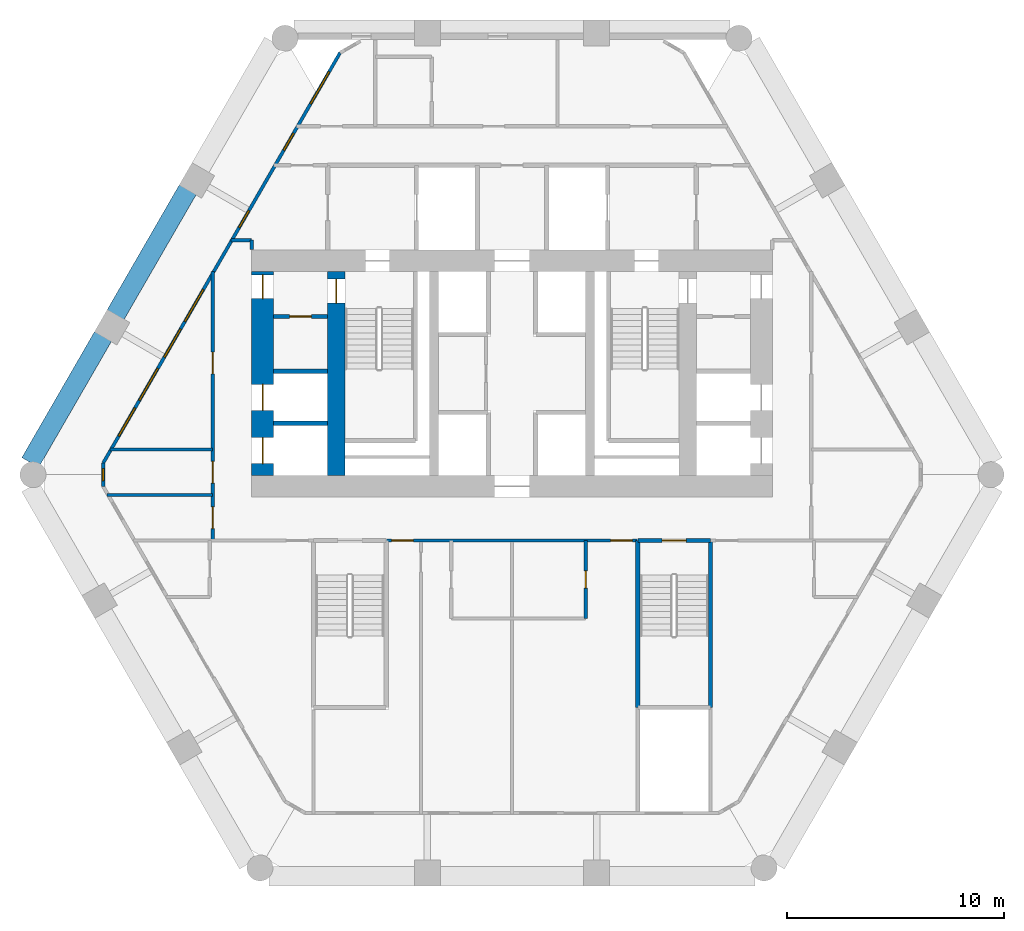
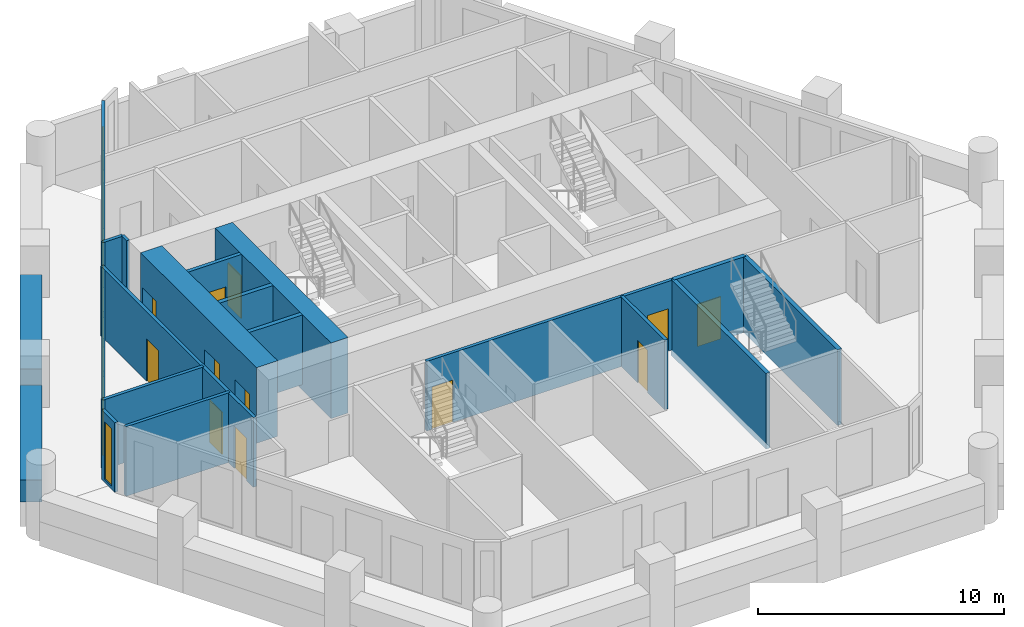
# One storey, part 3 of 7: 19 walls, 12 doors, 8 windows, 20 openings.
"""IFC4 building model written with IfcOpenShell, lengths in metres."""

from ifc_helpers import new_model, si_unit, direction, frame, frame_2d, origin, place, context, subcontext, project, spatial, rectangle, extrude, material, layer, layer_set, type_object, element, fill, save


model = new_model("IFC4")

# Units and contexts
model_context = context("Model", 3, precision=1e-05, world=origin(), true_north=direction((0.0, 1.0)))
body_context = subcontext(model_context, "Body", "Model", "MODEL_VIEW")
ifc_project = project(units=[si_unit("LENGTHUNIT", "METRE"), si_unit("AREAUNIT", "SQUARE_METRE"), si_unit("VOLUMEUNIT", "CUBIC_METRE"), si_unit("PLANEANGLEUNIT", "RADIAN"), si_unit("MASSUNIT", "GRAM", prefix="KILO")], contexts=[model_context])

# Site, building, storey
site_placement = place(None, origin())
site = spatial("IfcSite", under=ifc_project, at=site_placement, CompositionType="ELEMENT")
building_placement = place(site_placement, origin())
building = spatial("IfcBuilding", under=site, at=building_placement, Name="Ostrander Bayou Hotel Tower", CompositionType="ELEMENT")
storey_placement = place(building_placement, frame((0.0, 0.0, 123.5)))
storey = spatial("IfcBuildingStorey", under=building, at=storey_placement, Name="L30", CompositionType="ELEMENT", Elevation=123.5)

# Wall, openings, doors
ifc_material_1 = material(Name="Concrete f'c 70 MPa", Category="concrete")
ifc_layer_1 = layer(ifc_material_1, 1.0)
ifc_layer_set_1 = layer_set([ifc_layer_1], Name="CW4 core wall 1000 mm f'c 70 MPa")
wall_type_1 = type_object("IfcWallType", Name="CW4 core wall 1000 mm f'c 70 MPa", PredefinedType="SHEAR", material=ifc_layer_set_1)
wall_1_placement = place(storey_placement, frame((-11.5, -0.699951171875, -0.300048828125), z_axis=(0.0, 0.0, 1.0), x_axis=(0.0, 1.0, 0.0)))
wall_1 = element("IfcWall", 1, at=wall_1_placement, inside=storey, type_object=wall_type_1, Name="CW4 L30 RW", PredefinedType="SHEAR", context=body_context, shape_type="SweptSolid", body=[
    extrude(rectangle(XDim=9.39990234375, YDim=1.0, at=frame_2d((4.699951171875, 0.0))), origin(), (0.0, 0.0, 1.0), 3.75),
])
opening_1_placement = place(wall_1_placement, frame((8.14990234375, 0.0, 0.0)))
opening_1 = element("IfcOpeningElement", 2, at=opening_1_placement, cuts=wall_1, Name="Opening T28-016", PredefinedType="OPENING", context=body_context, shape_type="SweptSolid", body=[
    extrude(rectangle(XDim=1.10009765625, YDim=2.10009765625, at=frame_2d((0.550048828125, 1.050048828125))), frame((0.0, 0.5, 0.0), z_axis=(0.0, -1.0, 0.0), x_axis=(1.0, 0.0, 0.0)), (0.0, 0.0, 1.0), 1.0),
])
opening_2_placement = place(wall_1_placement, frame((0.550048828125, 0.0, 0.0)))
opening_2 = element("IfcOpeningElement", 3, at=opening_2_placement, cuts=wall_1, Name="Opening T28-017", PredefinedType="OPENING", context=body_context, shape_type="SweptSolid", body=[
    extrude(rectangle(XDim=1.199951171875, YDim=2.10009765625, at=frame_2d((0.60009765625, 1.050048828125))), frame((0.0, 0.5, 0.0), z_axis=(0.0, -1.0, 0.0), x_axis=(1.0, 0.0, 0.0)), (0.0, 0.0, 1.0), 1.0),
])
opening_3_placement = place(wall_1_placement, frame((3.0, 0.0, 0.0)))
opening_3 = element("IfcOpeningElement", 4, at=opening_3_placement, cuts=wall_1, Name="Opening T28-018", PredefinedType="OPENING", context=body_context, shape_type="SweptSolid", body=[
    extrude(rectangle(XDim=1.199951171875, YDim=2.10009765625, at=frame_2d((0.60009765625, 1.050048828125))), frame((0.0, 0.5, 0.0), z_axis=(0.0, -1.0, 0.0), x_axis=(1.0, 0.0, 0.0)), (0.0, 0.0, 1.0), 1.0),
])
ifc_material_2 = material(Name="Timber door leaf", Category="wood")
door_type_1 = type_object("IfcDoorType", Name="D5 stair door 1100 x 2100 mm, 90 minute", OperationType="SINGLE_SWING_LEFT", PredefinedType="DOOR", material=ifc_material_2)
door_1_placement = place(opening_1_placement, origin())
door_1 = element("IfcDoor", 5, at=door_1_placement, inside=storey, type_object=door_type_1, Name="dr:L30:016", OperationType="SINGLE_SWING_LEFT", OverallHeight=2.10009765625, OverallWidth=1.10009765625, PredefinedType="DOOR", context=body_context, shape_type="SweptSolid", body=[
    extrude(rectangle(XDim=1.10009765625, YDim=2.10009765625, at=frame_2d((0.550048828125, 1.050048828125))), frame((0.0, 0.02490234375, 0.0), z_axis=(0.0, -1.0, 0.0), x_axis=(1.0, 0.0, 0.0)), (0.0, 0.0, 1.0), 0.050048828125),
])
fill(opening_1, door_1)
ifc_material_3 = material(Name="Stainless steel sliding door", Category="steel")
door_type_2 = type_object("IfcDoorType", Name="LD1 lift landing door 1200 x 2100 mm", OperationType="SINGLE_SWING_LEFT", PredefinedType="DOOR", material=ifc_material_3)
door_2_placement = place(opening_2_placement, origin())
door_2 = element("IfcDoor", 6, at=door_2_placement, inside=storey, type_object=door_type_2, Name="dr:L30:017", OperationType="SLIDING_TO_LEFT", OverallHeight=2.10009765625, OverallWidth=1.199951171875, PredefinedType="DOOR", context=body_context, shape_type="SweptSolid", body=[
    extrude(rectangle(XDim=1.199951171875, YDim=2.10009765625, at=frame_2d((0.60009765625, 1.050048828125))), frame((0.0, 0.02490234375, 0.0), z_axis=(0.0, -1.0, 0.0), x_axis=(1.0, 0.0, 0.0)), (0.0, 0.0, 1.0), 0.050048828125),
])
fill(opening_2, door_2)
door_3_placement = place(opening_3_placement, origin())
door_3 = element("IfcDoor", 7, at=door_3_placement, inside=storey, type_object=door_type_2, Name="dr:L30:018", OperationType="SLIDING_TO_LEFT", OverallHeight=2.10009765625, OverallWidth=1.199951171875, PredefinedType="DOOR", context=body_context, shape_type="SweptSolid", body=[
    extrude(rectangle(XDim=1.199951171875, YDim=2.10009765625, at=frame_2d((0.60009765625, 1.050048828125))), frame((0.0, 0.02490234375, 0.0), z_axis=(0.0, -1.0, 0.0), x_axis=(1.0, 0.0, 0.0)), (0.0, 0.0, 1.0), 0.050048828125),
])
fill(opening_3, door_3)

# Wall, opening, door
ifc_material_4 = material(Name="Concrete f'c 70 MPa", Category="concrete")
ifc_layer_2 = layer(ifc_material_4, 0.800048828125)
ifc_layer_set_2 = layer_set([ifc_layer_2], Name="CW5 core spine wall 800 mm f'c 70 MPa")
wall_type_2 = type_object("IfcWallType", Name="CW5 core spine wall 800 mm f'c 70 MPa", PredefinedType="SHEAR", material=ifc_layer_set_2)
wall_2_placement = place(storey_placement, frame((-8.10009765625, -0.699951171875, -0.300048828125), z_axis=(0.0, 0.0, 1.0), x_axis=(0.0, 1.0, 0.0)))
wall_2 = element("IfcWall", 8, at=wall_2_placement, inside=storey, type_object=wall_type_2, Name="CW5 L30 W", PredefinedType="SHEAR", context=body_context, shape_type="SweptSolid", body=[
    extrude(rectangle(XDim=9.39990234375, YDim=0.800048828125, at=frame_2d((4.699951171875, 0.0))), origin(), (0.0, 0.0, 1.0), 3.75),
])
opening_4_placement = place(wall_2_placement, frame((7.949951171875, 0.0, 0.0)))
opening_4 = element("IfcOpeningElement", 9, at=opening_4_placement, cuts=wall_2, Name="Opening T28-004", PredefinedType="OPENING", context=body_context, shape_type="SweptSolid", body=[
    extrude(rectangle(XDim=1.10009765625, YDim=2.10009765625, at=frame_2d((0.550048828125, 1.050048828125))), frame((0.0, 0.39990234375, 0.0), z_axis=(0.0, -1.0, 0.0), x_axis=(1.0, 0.0, 0.0)), (0.0, 0.0, 1.0), 0.800048828125),
])
door_4_placement = place(opening_4_placement, origin())
door_4 = element("IfcDoor", 10, at=door_4_placement, inside=storey, type_object=door_type_1, Name="dr:L30:004", OperationType="SINGLE_SWING_RIGHT", OverallHeight=2.10009765625, OverallWidth=1.10009765625, PredefinedType="DOOR", context=body_context, shape_type="SweptSolid", body=[
    extrude(rectangle(XDim=1.10009765625, YDim=2.10009765625, at=frame_2d((0.550048828125, 1.050048828125))), frame((0.0, 0.02490234375, 0.0), z_axis=(0.0, -1.0, 0.0), x_axis=(1.0, 0.0, 0.0)), (0.0, 0.0, 1.0), 0.050048828125),
])
fill(opening_4, door_4)

# Wall, openings, windows
ifc_material_5 = material(Name="Aluminium framed insulated wall", Category="aluminium")
ifc_layer_3 = layer(ifc_material_5, 0.14990234375)
ifc_layer_set_3 = layer_set([ifc_layer_3], Name="GW1 glass-line wall 150 mm")
wall_type_3 = type_object("IfcWallType", Name="GW1 glass-line wall 150 mm", PredefinedType="SOLIDWALL", material=ifc_layer_set_3)
wall_3_placement = place(storey_placement, frame((-7.925048828125, 18.79248046875, 0.0), z_axis=(0.0, 0.0, 1.0), x_axis=(-0.499994842654, -0.866028381359, 0.0)))
wall_3 = element("IfcWall", 11, at=wall_3_placement, inside=storey, type_object=wall_type_3, Name="GW1 L30 NW 1", PredefinedType="SOLIDWALL", context=body_context, shape_type="SweptSolid", body=[
    extrude(rectangle(XDim=21.853271484375, YDim=0.14990234375, at=frame_2d((10.9267578125, 0.0))), origin(), (0.0, 0.0, 1.0), 3.449951171875),
])
opening_5_placement = place(wall_3_placement, frame((4.29345703125, 0.0, 0.14990234375)))
opening_5 = element("IfcOpeningElement", 12, at=opening_5_placement, cuts=wall_3, Name="Opening W16", PredefinedType="OPENING", context=body_context, shape_type="SweptSolid", body=[
    extrude(rectangle(XDim=0.89990234375, YDim=2.85009765625, at=frame_2d((0.449951171875, 1.425048828125))), frame((0.0, 0.074951171875, 0.0), z_axis=(0.0, -1.0, 0.0), x_axis=(1.0, 0.0, 0.0)), (0.0, 0.0, 1.0), 0.14990234375),
])
opening_6_placement = place(wall_3_placement, frame((8.412353515625, 0.0, 0.14990234375)))
opening_6 = element("IfcOpeningElement", 13, at=opening_6_placement, cuts=wall_3, Name="Opening W16", PredefinedType="OPENING", context=body_context, shape_type="SweptSolid", body=[
    extrude(rectangle(XDim=0.89990234375, YDim=2.85009765625, at=frame_2d((0.449951171875, 1.425048828125))), frame((0.0, 0.074951171875, 0.0), z_axis=(0.0, -1.0, 0.0), x_axis=(1.0, 0.0, 0.0)), (0.0, 0.0, 1.0), 0.14990234375),
])
opening_7_placement = place(wall_3_placement, frame((12.6123046875, 0.0, 0.14990234375)))
opening_7 = element("IfcOpeningElement", 14, at=opening_7_placement, cuts=wall_3, Name="Opening W2", PredefinedType="OPENING", context=body_context, shape_type="SweptSolid", body=[
    extrude(rectangle(XDim=1.699951171875, YDim=2.85009765625, at=frame_2d((0.85009765625, 1.425048828125))), frame((0.0, 0.074951171875, 0.0), z_axis=(0.0, -1.0, 0.0), x_axis=(1.0, 0.0, 0.0)), (0.0, 0.0, 1.0), 0.14990234375),
])
opening_8_placement = place(wall_3_placement, frame((14.71240234375, 0.0, 0.14990234375)))
opening_8 = element("IfcOpeningElement", 15, at=opening_8_placement, cuts=wall_3, Name="Opening W12", PredefinedType="OPENING", context=body_context, shape_type="SweptSolid", body=[
    extrude(rectangle(XDim=1.5, YDim=2.85009765625, at=frame_2d((0.75, 1.425048828125))), frame((0.0, 0.074951171875, 0.0), z_axis=(0.0, -1.0, 0.0), x_axis=(1.0, 0.0, 0.0)), (0.0, 0.0, 1.0), 0.14990234375),
])
opening_9_placement = place(wall_3_placement, frame((16.812255859375, 0.0, 0.14990234375)))
opening_9 = element("IfcOpeningElement", 16, at=opening_9_placement, cuts=wall_3, Name="Opening W2", PredefinedType="OPENING", context=body_context, shape_type="SweptSolid", body=[
    extrude(rectangle(XDim=1.699951171875, YDim=2.85009765625, at=frame_2d((0.85009765625, 1.425048828125))), frame((0.0, 0.074951171875, 0.0), z_axis=(0.0, -1.0, 0.0), x_axis=(1.0, 0.0, 0.0)), (0.0, 0.0, 1.0), 0.14990234375),
])
opening_10_placement = place(wall_3_placement, frame((18.912353515625, 0.0, 0.14990234375)))
opening_10 = element("IfcOpeningElement", 17, at=opening_10_placement, cuts=wall_3, Name="Opening W12", PredefinedType="OPENING", context=body_context, shape_type="SweptSolid", body=[
    extrude(rectangle(XDim=1.5, YDim=2.85009765625, at=frame_2d((0.75, 1.425048828125))), frame((0.0, 0.074951171875, 0.0), z_axis=(0.0, -1.0, 0.0), x_axis=(1.0, 0.0, 0.0)), (0.0, 0.0, 1.0), 0.14990234375),
])
opening_11_placement = place(wall_3_placement, frame((1.021728515625, 0.0, 0.14990234375)))
opening_11 = element("IfcOpeningElement", 18, at=opening_11_placement, cuts=wall_3, Name="Opening W2", PredefinedType="OPENING", context=body_context, shape_type="SweptSolid", body=[
    extrude(rectangle(XDim=1.699951171875, YDim=2.72998046875, at=frame_2d((0.85009765625, 1.364990234375))), frame((0.0, 0.074951171875, 0.0), z_axis=(0.0, -1.0, 0.0), x_axis=(1.0, 0.0, 0.0)), (0.0, 0.0, 1.0), 0.14990234375),
])
ifc_material_6 = material(Name="Aluminium and clear glass", Category="aluminium")
window_type_1 = type_object("IfcWindowType", Name="W12 fixed window 1500 mm, bath bay, zone 2", PartitioningType="SINGLE_PANEL", PredefinedType="WINDOW", material=ifc_material_6)
window_1_placement = place(opening_8_placement, origin())
window_1 = element("IfcWindow", 19, at=window_1_placement, inside=storey, type_object=window_type_1, Name="W12 L30 NW 3", OverallHeight=2.85009765625, OverallWidth=1.5, PartitioningType="SINGLE_PANEL", PredefinedType="WINDOW", context=body_context, shape_type="SweptSolid", body=[
    extrude(rectangle(XDim=1.5, YDim=2.85009765625, at=frame_2d((0.75, 1.425048828125))), frame((0.0, 0.030029296875, 0.0), z_axis=(0.0, -1.0, 0.0), x_axis=(1.0, 0.0, 0.0)), (0.0, 0.0, 1.0), 0.06005859375),
])
fill(opening_8, window_1)
window_2_placement = place(opening_10_placement, origin())
window_2 = element("IfcWindow", 20, at=window_2_placement, inside=storey, type_object=window_type_1, Name="W12 L30 NW 4", OverallHeight=2.85009765625, OverallWidth=1.5, PartitioningType="SINGLE_PANEL", PredefinedType="WINDOW", context=body_context, shape_type="SweptSolid", body=[
    extrude(rectangle(XDim=1.5, YDim=2.85009765625, at=frame_2d((0.75, 1.425048828125))), frame((0.0, 0.030029296875, 0.0), z_axis=(0.0, -1.0, 0.0), x_axis=(1.0, 0.0, 0.0)), (0.0, 0.0, 1.0), 0.06005859375),
])
fill(opening_10, window_2)
ifc_material_7 = material(Name="Aluminium and clear glass", Category="aluminium")
window_type_2 = type_object("IfcWindowType", Name="W16 window 900 mm, zone 2", PartitioningType="SINGLE_PANEL", PredefinedType="WINDOW", material=ifc_material_7)
window_3_placement = place(opening_5_placement, origin())
window_3 = element("IfcWindow", 21, at=window_3_placement, inside=storey, type_object=window_type_2, Name="W16 L30 NW 1", OverallHeight=2.85009765625, OverallWidth=0.89990234375, PartitioningType="SINGLE_PANEL", PredefinedType="WINDOW", context=body_context, shape_type="SweptSolid", body=[
    extrude(rectangle(XDim=0.89990234375, YDim=2.85009765625, at=frame_2d((0.449951171875, 1.425048828125))), frame((0.0, 0.030029296875, 0.0), z_axis=(0.0, -1.0, 0.0), x_axis=(1.0, 0.0, 0.0)), (0.0, 0.0, 1.0), 0.06005859375),
])
fill(opening_5, window_3)
window_4_placement = place(opening_6_placement, origin())
window_4 = element("IfcWindow", 22, at=window_4_placement, inside=storey, type_object=window_type_2, Name="W16 L30 NW 2", OverallHeight=2.85009765625, OverallWidth=0.89990234375, PartitioningType="SINGLE_PANEL", PredefinedType="WINDOW", context=body_context, shape_type="SweptSolid", body=[
    extrude(rectangle(XDim=0.89990234375, YDim=2.85009765625, at=frame_2d((0.449951171875, 1.425048828125))), frame((0.0, 0.030029296875, 0.0), z_axis=(0.0, -1.0, 0.0), x_axis=(1.0, 0.0, 0.0)), (0.0, 0.0, 1.0), 0.06005859375),
])
fill(opening_6, window_4)
ifc_material_8 = material(Name="Aluminium and clear glass", Category="aluminium")
window_type_3 = type_object("IfcWindowType", Name="W2 fixed window 1700 mm, zone 2", PartitioningType="SINGLE_PANEL", PredefinedType="WINDOW", material=ifc_material_8)
window_5_placement = place(opening_7_placement, origin())
window_5 = element("IfcWindow", 23, at=window_5_placement, inside=storey, type_object=window_type_3, Name="W2 L30 NW 3", OverallHeight=2.85009765625, OverallWidth=1.699951171875, PartitioningType="SINGLE_PANEL", PredefinedType="WINDOW", context=body_context, shape_type="SweptSolid", body=[
    extrude(rectangle(XDim=1.699951171875, YDim=2.85009765625, at=frame_2d((0.85009765625, 1.425048828125))), frame((0.0, 0.030029296875, 0.0), z_axis=(0.0, -1.0, 0.0), x_axis=(1.0, 0.0, 0.0)), (0.0, 0.0, 1.0), 0.06005859375),
])
fill(opening_7, window_5)
window_6_placement = place(opening_9_placement, origin())
window_6 = element("IfcWindow", 24, at=window_6_placement, inside=storey, type_object=window_type_3, Name="W2 L30 NW 4", OverallHeight=2.85009765625, OverallWidth=1.699951171875, PartitioningType="SINGLE_PANEL", PredefinedType="WINDOW", context=body_context, shape_type="SweptSolid", body=[
    extrude(rectangle(XDim=1.699951171875, YDim=2.85009765625, at=frame_2d((0.85009765625, 1.425048828125))), frame((0.0, 0.030029296875, 0.0), z_axis=(0.0, -1.0, 0.0), x_axis=(1.0, 0.0, 0.0)), (0.0, 0.0, 1.0), 0.06005859375),
])
fill(opening_9, window_6)
window_7_placement = place(opening_11_placement, origin())
window_7 = element("IfcWindow", 25, at=window_7_placement, inside=storey, type_object=window_type_3, Name="W2 L30 NW E11", OverallHeight=2.72998046875, OverallWidth=1.699951171875, PartitioningType="SINGLE_PANEL", PredefinedType="WINDOW", context=body_context, shape_type="SweptSolid", body=[
    extrude(rectangle(XDim=1.699951171875, YDim=2.72998046875, at=frame_2d((0.85009765625, 1.364990234375))), frame((0.0, 0.030029296875, 0.0), z_axis=(0.0, -1.0, 0.0), x_axis=(1.0, 0.0, 0.0)), (0.0, 0.0, 1.0), 0.06005859375),
])
fill(opening_11, window_7)

# Wall, opening, window
wall_4_placement = place(storey_placement, frame((-18.8515625, -0.133056640625, 0.0), z_axis=(0.0, 0.0, 1.0), x_axis=(0.0, -1.0, 0.0)))
wall_4 = element("IfcWall", 26, at=wall_4_placement, inside=storey, type_object=wall_type_3, Name="GW1 L30 corner 2", PredefinedType="SOLIDWALL", context=body_context, shape_type="SweptSolid", body=[
    extrude(rectangle(XDim=1.06494140625, YDim=0.14990234375, at=frame_2d((0.532470703125, 0.0))), origin(), (0.0, 0.0, 1.0), 3.449951171875),
])
opening_12_placement = place(wall_4_placement, frame((0.257568359375, 0.0, 0.14990234375)))
opening_12 = element("IfcOpeningElement", 27, at=opening_12_placement, cuts=wall_4, Name="Opening W19", PredefinedType="OPENING", context=body_context, shape_type="SweptSolid", body=[
    extrude(rectangle(XDim=0.550048828125, YDim=2.85009765625, at=frame_2d((0.27490234375, 1.425048828125))), frame((0.0, 0.074951171875, 0.0), z_axis=(0.0, -1.0, 0.0), x_axis=(1.0, 0.0, 0.0)), (0.0, 0.0, 1.0), 0.14990234375),
])
ifc_material_9 = material(Name="Aluminium and clear glass", Category="aluminium")
window_type_4 = type_object("IfcWindowType", Name="W19 corner window 550 mm", PartitioningType="SINGLE_PANEL", PredefinedType="WINDOW", material=ifc_material_9)
window_8_placement = place(opening_12_placement, origin())
window_8 = element("IfcWindow", 28, at=window_8_placement, inside=storey, type_object=window_type_4, Name="W19 L30 corner 2", OverallHeight=2.85009765625, OverallWidth=0.550048828125, PartitioningType="SINGLE_PANEL", PredefinedType="WINDOW", context=body_context, shape_type="SweptSolid", body=[
    extrude(rectangle(XDim=0.550048828125, YDim=2.85009765625, at=frame_2d((0.27490234375, 1.425048828125))), frame((0.0, 0.030029296875, 0.0), z_axis=(0.0, -1.0, 0.0), x_axis=(1.0, 0.0, 0.0)), (0.0, 0.0, 1.0), 0.06005859375),
])
fill(opening_12, window_8)

# Walls
ifc_material_10 = material(Name="Concrete f'c 40 MPa", Category="concrete")
ifc_layer_4 = layer(ifc_material_10, 0.89990234375)
ifc_layer_set_4 = layer_set([ifc_layer_4], Name="PA1 stone-faced parapet 900 mm")
wall_type_4 = type_object("IfcWallType", Name="PA1 stone-faced parapet 900 mm", PredefinedType="PARAPET", material=ifc_layer_set_4)
wall_5_placement = place(storey_placement, frame((-14.94580078125, 12.48193359375, 0.0), z_axis=(0.0, 0.0, 1.0), x_axis=(-0.50001062018, -0.866019272134, 0.0)))
element("IfcWall", 29, at=wall_5_placement, inside=storey, type_object=wall_type_4, Name="PA1 L30 NW-2", PredefinedType="PARAPET", context=body_context, shape_type="SweptSolid", body=[
    extrude(rectangle(XDim=6.673583984375, YDim=0.89990234375, at=frame_2d((3.3369140625, 0.0))), origin(), (0.0, 0.0, 1.0), 1.10009765625),
])
wall_6_placement = place(storey_placement, frame((-18.8525390625, 5.71533203125, 0.0), z_axis=(0.0, 0.0, 1.0), x_axis=(-0.500012951941, -0.866017925849, 0.0)))
element("IfcWall", 30, at=wall_6_placement, inside=storey, type_object=wall_type_4, Name="PA1 L30 NW-3", PredefinedType="PARAPET", context=body_context, shape_type="SweptSolid", body=[
    extrude(rectangle(XDim=6.717041015625, YDim=0.89990234375, at=frame_2d((3.3583984375, 0.0))), origin(), (0.0, 0.0, 1.0), 1.10009765625),
])

# Wall, opening, door
ifc_material_11 = material(Name="Gypsum board partition", Category="finish")
ifc_layer_5 = layer(ifc_material_11, 0.175048828125)
ifc_layer_set_5 = layer_set([ifc_layer_5], Name="PT4 corridor wall 175 mm, 1 hour")
wall_type_5 = type_object("IfcWallType", Name="PT4 corridor wall 175 mm, 1 hour", PredefinedType="PARTITIONING", material=ifc_layer_set_5)
wall_7_placement = place(storey_placement, frame((-11.0, 6.6298828125, 0.0), z_axis=(0.0, 0.0, 1.0), x_axis=(1.0, 0.0, 0.0)))
wall_7 = element("IfcWall", 31, at=wall_7_placement, inside=storey, type_object=wall_type_5, Name="cs:L30:035", PredefinedType="PARTITIONING", context=body_context, shape_type="SweptSolid", body=[
    extrude(rectangle(XDim=2.5, YDim=0.175048828125, at=frame_2d((1.25, 0.0))), origin(), (0.0, 0.0, 1.0), 3.449951171875),
])
opening_13_placement = place(wall_7_placement, frame((0.75, 0.0, 0.0)))
opening_13 = element("IfcOpeningElement", 32, at=opening_13_placement, cuts=wall_7, Name="Opening T28-015", PredefinedType="OPENING", context=body_context, shape_type="SweptSolid", body=[
    extrude(rectangle(XDim=1.0, YDim=2.10009765625, at=frame_2d((0.5, 1.050048828125))), frame((0.0, 0.08740234375, 0.0), z_axis=(0.0, -1.0, 0.0), x_axis=(1.0, 0.0, 0.0)), (0.0, 0.0, 1.0), 0.175048828125),
])
ifc_material_12 = material(Name="Timber door leaf", Category="wood")
door_type_3 = type_object("IfcDoorType", Name="D4 corridor door 1000 x 2100 mm, 1 hour", OperationType="SINGLE_SWING_LEFT", PredefinedType="DOOR", material=ifc_material_12)
door_5_placement = place(opening_13_placement, origin())
door_5 = element("IfcDoor", 33, at=door_5_placement, inside=storey, type_object=door_type_3, Name="dr:L30:015", OperationType="SINGLE_SWING_LEFT", OverallHeight=2.10009765625, OverallWidth=1.0, PredefinedType="DOOR", context=body_context, shape_type="SweptSolid", body=[
    extrude(rectangle(XDim=1.0, YDim=2.10009765625, at=frame_2d((0.5, 1.050048828125))), frame((0.0, 0.02490234375, 0.0), z_axis=(0.0, -1.0, 0.0), x_axis=(1.0, 0.0, 0.0)), (0.0, 0.0, 1.0), 0.050048828125),
])
fill(opening_13, door_5)

# Walls
ifc_material_13 = material(Name="Masonry block", Category="masonry")
ifc_layer_6 = layer(ifc_material_13, 0.199951171875)
ifc_layer_set_6 = layer_set([ifc_layer_6], Name="PT6 lift shaft wall 200 mm masonry, 2 hour")
wall_type_6 = type_object("IfcWallType", Name="PT6 lift shaft wall 200 mm masonry, 2 hour", PredefinedType="PARTITIONING", material=ifc_layer_set_6)
for number, where, z_axis, x_axis, name in (
    (34, (-11.0, 1.699951171875, 0.0), (0.0, 0.0, 1.0), (1.0, 0.0, 0.0), "cs:L30:033"),
    (35, (-11.0, 4.10009765625, 0.0), (0.0, 0.0, 1.0), (1.0, 0.0, 0.0), "cs:L30:034"),
):
    element("IfcWall", number, at=place(storey_placement, frame(where, z_axis=z_axis, x_axis=x_axis)), inside=storey, type_object=wall_type_6, Name=name, PredefinedType="PARTITIONING", context=body_context, shape_type="SweptSolid", body=[
        extrude(rectangle(XDim=2.5, YDim=0.199951171875, at=frame_2d((1.25, 0.0))), origin(), (0.0, 0.0, 1.0), 3.449951171875),
    ])

# Wall, openings, doors
ifc_material_14 = material(Name="Gypsum board partition", Category="finish")
ifc_layer_7 = layer(ifc_material_14, 0.14990234375)
ifc_layer_set_7 = layer_set([ifc_layer_7], Name="PT8 service band wall 150 mm, 1 hour")
wall_type_7 = type_object("IfcWallType", Name="PT8 service band wall 150 mm, 1 hour", PredefinedType="PARTITIONING", material=ifc_layer_set_7)
wall_8_placement = place(storey_placement, frame((-5.7900390625, -3.699951171875, 0.0), z_axis=(0.0, 0.0, 1.0), x_axis=(1.0, 0.0, 0.0)))
wall_8 = element("IfcWall", 36, at=wall_8_placement, inside=storey, type_object=wall_type_7, Name="gw:L30:005", PredefinedType="PARTITIONING", context=body_context, shape_type="SweptSolid", body=[
    extrude(rectangle(XDim=11.580078125, YDim=0.14990234375, at=frame_2d((5.7900390625, 0.0))), origin(), (0.0, 0.0, 1.0), 3.449951171875),
])
opening_14_placement = place(wall_8_placement, frame((0.239990234375, 0.0, 0.0)))
opening_14 = element("IfcOpeningElement", 37, at=opening_14_placement, cuts=wall_8, Name="Opening T28-400", PredefinedType="OPENING", context=body_context, shape_type="SweptSolid", body=[
    extrude(rectangle(XDim=1.0, YDim=2.10009765625, at=frame_2d((0.5, 1.050048828125))), frame((0.0, 0.074951171875, 0.0), z_axis=(0.0, -1.0, 0.0), x_axis=(1.0, 0.0, 0.0)), (0.0, 0.0, 1.0), 0.14990234375),
])
opening_15_placement = place(wall_8_placement, frame((10.340087890625, 0.0, 0.0)))
opening_15 = element("IfcOpeningElement", 38, at=opening_15_placement, cuts=wall_8, Name="Opening T28-405", PredefinedType="OPENING", context=body_context, shape_type="SweptSolid", body=[
    extrude(rectangle(XDim=1.0, YDim=2.10009765625, at=frame_2d((0.5, 1.050048828125))), frame((0.0, 0.074951171875, 0.0), z_axis=(0.0, -1.0, 0.0), x_axis=(1.0, 0.0, 0.0)), (0.0, 0.0, 1.0), 0.14990234375),
])
ifc_material_15 = material(Name="Timber door leaf", Category="wood")
door_type_4 = type_object("IfcDoorType", Name="D1 guest room door 1000 x 2100 mm, 30 minute", OperationType="SINGLE_SWING_LEFT", PredefinedType="DOOR", material=ifc_material_15)
door_6_placement = place(opening_14_placement, origin())
door_6 = element("IfcDoor", 39, at=door_6_placement, inside=storey, type_object=door_type_4, Name="dr:L30:400", OperationType="SINGLE_SWING_LEFT", OverallHeight=2.10009765625, OverallWidth=1.0, PredefinedType="DOOR", context=body_context, shape_type="SweptSolid", body=[
    extrude(rectangle(XDim=1.0, YDim=2.10009765625, at=frame_2d((0.5, 1.050048828125))), frame((0.0, 0.02490234375, 0.0), z_axis=(0.0, -1.0, 0.0), x_axis=(1.0, 0.0, 0.0)), (0.0, 0.0, 1.0), 0.050048828125),
])
fill(opening_14, door_6)
door_7_placement = place(opening_15_placement, origin())
door_7 = element("IfcDoor", 40, at=door_7_placement, inside=storey, type_object=door_type_4, Name="dr:L30:405", OperationType="SINGLE_SWING_RIGHT", OverallHeight=2.10009765625, OverallWidth=1.0, PredefinedType="DOOR", context=body_context, shape_type="SweptSolid", body=[
    extrude(rectangle(XDim=1.0, YDim=2.10009765625, at=frame_2d((0.5, 1.050048828125))), frame((0.0, 0.02490234375, 0.0), z_axis=(0.0, -1.0, 0.0), x_axis=(1.0, 0.0, 0.0)), (0.0, 0.0, 1.0), 0.050048828125),
])
fill(opening_15, door_7)

# Walls
wall_9_placement = place(storey_placement, frame((-18.672119140625, -1.60009765625, 0.0), z_axis=(0.0, 0.0, 1.0), x_axis=(1.0, 0.0, 0.0)))
element("IfcWall", 41, at=wall_9_placement, inside=storey, type_object=wall_type_7, Name="gw:L30:007", PredefinedType="PARTITIONING", context=body_context, shape_type="SweptSolid", body=[
    extrude(rectangle(XDim=4.8720703125, YDim=0.14990234375, at=frame_2d((2.43603515625, 0.0))), origin(), (0.0, 0.0, 1.0), 3.449951171875),
])
wall_10_placement = place(storey_placement, frame((-18.5380859375, 0.5, 0.0), z_axis=(0.0, 0.0, 1.0), x_axis=(1.0, 0.0, 0.0)))
element("IfcWall", 42, at=wall_10_placement, inside=storey, type_object=wall_type_7, Name="gw:L30:008", PredefinedType="PARTITIONING", context=body_context, shape_type="SweptSolid", body=[
    extrude(rectangle(XDim=4.738037109375, YDim=0.14990234375, at=frame_2d((2.369140625, 0.0))), origin(), (0.0, 0.0, 1.0), 3.449951171875),
])
wall_11_placement = place(storey_placement, frame((-12.967041015625, 10.14990234375, 0.0), z_axis=(0.0, 0.0, 1.0), x_axis=(1.0, 0.0, 0.0)))
element("IfcWall", 43, at=wall_11_placement, inside=storey, type_object=wall_type_7, Name="gw:L30:010", PredefinedType="PARTITIONING", context=body_context, shape_type="SweptSolid", body=[
    extrude(rectangle(XDim=0.967041015625, YDim=0.14990234375, at=frame_2d((0.4833984375, 0.0))), origin(), (0.0, 0.0, 1.0), 3.449951171875),
])

# Wall, opening, door
wall_12_placement = place(storey_placement, frame((3.39990234375, -7.300048828125, 0.0), z_axis=(0.0, 0.0, 1.0), x_axis=(0.0, 1.0, 0.0)))
wall_12 = element("IfcWall", 44, at=wall_12_placement, inside=storey, type_object=wall_type_7, Name="gw:L30:021", PredefinedType="PARTITIONING", context=body_context, shape_type="SweptSolid", body=[
    extrude(rectangle(XDim=3.60009765625, YDim=0.14990234375, at=frame_2d((1.800048828125, 0.0))), origin(), (0.0, 0.0, 1.0), 3.449951171875),
])
opening_16_placement = place(wall_12_placement, frame((1.39990234375, 0.0, 0.0)))
opening_16 = element("IfcOpeningElement", 45, at=opening_16_placement, cuts=wall_12, Name="Opening T28-406", PredefinedType="OPENING", context=body_context, shape_type="SweptSolid", body=[
    extrude(rectangle(XDim=0.800048828125, YDim=2.10009765625, at=frame_2d((0.39990234375, 1.050048828125))), frame((0.0, 0.074951171875, 0.0), z_axis=(0.0, -1.0, 0.0), x_axis=(1.0, 0.0, 0.0)), (0.0, 0.0, 1.0), 0.14990234375),
])
ifc_material_16 = material(Name="Timber door leaf", Category="wood")
door_type_5 = type_object("IfcDoorType", Name="D2 bathroom door 800 x 2100 mm", OperationType="SINGLE_SWING_LEFT", PredefinedType="DOOR", material=ifc_material_16)
door_8_placement = place(opening_16_placement, origin())
door_8 = element("IfcDoor", 46, at=door_8_placement, inside=storey, type_object=door_type_5, Name="dr:L30:406", OperationType="SINGLE_SWING_RIGHT", OverallHeight=2.10009765625, OverallWidth=0.800048828125, PredefinedType="DOOR", context=body_context, shape_type="SweptSolid", body=[
    extrude(rectangle(XDim=0.800048828125, YDim=2.10009765625, at=frame_2d((0.39990234375, 1.050048828125))), frame((0.0, 0.02490234375, 0.0), z_axis=(0.0, -1.0, 0.0), x_axis=(1.0, 0.0, 0.0)), (0.0, 0.0, 1.0), 0.050048828125),
])
fill(opening_16, door_8)

# Wall
wall_13_placement = place(storey_placement, frame((-12.0, 9.7099609375, 0.0), z_axis=(0.0, 0.0, 1.0), x_axis=(0.0, 1.0, 0.0)))
element("IfcWall", 47, at=wall_13_placement, inside=storey, type_object=wall_type_7, Name="gw:L30:029", PredefinedType="PARTITIONING", context=body_context, shape_type="SweptSolid", body=[
    extrude(rectangle(XDim=0.43994140625, YDim=0.14990234375, at=frame_2d((0.219970703125, 0.0))), origin(), (0.0, 0.0, 1.0), 3.449951171875),
])

# Wall, openings, doors
wall_14_placement = place(storey_placement, frame((-13.800048828125, -3.699951171875, 0.0), z_axis=(0.0, 0.0, 1.0), x_axis=(0.0, 1.0, 0.0)))
wall_14 = element("IfcWall", 48, at=wall_14_placement, inside=storey, type_object=wall_type_7, Name="gw:L30:030", PredefinedType="PARTITIONING", context=body_context, shape_type="SweptSolid", body=[
    extrude(rectangle(XDim=12.406982421875, YDim=0.14990234375, at=frame_2d((6.20361328125, 0.0))), origin(), (0.0, 0.0, 1.0), 3.449951171875),
])
opening_17_placement = place(wall_14_placement, frame((0.550048828125, 0.0, 0.0)))
opening_17 = element("IfcOpeningElement", 49, at=opening_17_placement, cuts=wall_14, Name="Opening T28-409", PredefinedType="OPENING", context=body_context, shape_type="SweptSolid", body=[
    extrude(rectangle(XDim=1.0, YDim=2.10009765625, at=frame_2d((0.5, 1.050048828125))), frame((0.0, 0.074951171875, 0.0), z_axis=(0.0, -1.0, 0.0), x_axis=(1.0, 0.0, 0.0)), (0.0, 0.0, 1.0), 0.14990234375),
])
opening_18_placement = place(wall_14_placement, frame((2.64990234375, 0.0, 0.0)))
opening_18 = element("IfcOpeningElement", 50, at=opening_18_placement, cuts=wall_14, Name="Opening T28-410", PredefinedType="OPENING", context=body_context, shape_type="SweptSolid", body=[
    extrude(rectangle(XDim=1.0, YDim=2.10009765625, at=frame_2d((0.5, 1.050048828125))), frame((0.0, 0.074951171875, 0.0), z_axis=(0.0, -1.0, 0.0), x_axis=(1.0, 0.0, 0.0)), (0.0, 0.0, 1.0), 0.14990234375),
])
opening_19_placement = place(wall_14_placement, frame((7.68310546875, 0.0, 0.0)))
opening_19 = element("IfcOpeningElement", 51, at=opening_19_placement, cuts=wall_14, Name="Opening T28-411", PredefinedType="OPENING", context=body_context, shape_type="SweptSolid", body=[
    extrude(rectangle(XDim=1.0, YDim=2.10009765625, at=frame_2d((0.5, 1.050048828125))), frame((0.0, 0.074951171875, 0.0), z_axis=(0.0, -1.0, 0.0), x_axis=(1.0, 0.0, 0.0)), (0.0, 0.0, 1.0), 0.14990234375),
])
ifc_material_17 = material(Name="Timber door leaf", Category="wood")
door_type_6 = type_object("IfcDoorType", Name="D9 service door 1000 x 2100 mm, 30 minute", OperationType="SINGLE_SWING_LEFT", PredefinedType="DOOR", material=ifc_material_17)
door_9_placement = place(opening_17_placement, origin())
door_9 = element("IfcDoor", 52, at=door_9_placement, inside=storey, type_object=door_type_6, Name="dr:L30:409", OperationType="SINGLE_SWING_LEFT", OverallHeight=2.10009765625, OverallWidth=1.0, PredefinedType="DOOR", context=body_context, shape_type="SweptSolid", body=[
    extrude(rectangle(XDim=1.0, YDim=2.10009765625, at=frame_2d((0.5, 1.050048828125))), frame((0.0, 0.02490234375, 0.0), z_axis=(0.0, -1.0, 0.0), x_axis=(1.0, 0.0, 0.0)), (0.0, 0.0, 1.0), 0.050048828125),
])
fill(opening_17, door_9)
door_10_placement = place(opening_18_placement, origin())
door_10 = element("IfcDoor", 53, at=door_10_placement, inside=storey, type_object=door_type_6, Name="dr:L30:410", OperationType="SINGLE_SWING_LEFT", OverallHeight=2.10009765625, OverallWidth=1.0, PredefinedType="DOOR", context=body_context, shape_type="SweptSolid", body=[
    extrude(rectangle(XDim=1.0, YDim=2.10009765625, at=frame_2d((0.5, 1.050048828125))), frame((0.0, 0.02490234375, 0.0), z_axis=(0.0, -1.0, 0.0), x_axis=(1.0, 0.0, 0.0)), (0.0, 0.0, 1.0), 0.050048828125),
])
fill(opening_18, door_10)
door_11_placement = place(opening_19_placement, origin())
door_11 = element("IfcDoor", 54, at=door_11_placement, inside=storey, type_object=door_type_6, Name="dr:L30:411", OperationType="SINGLE_SWING_LEFT", OverallHeight=2.10009765625, OverallWidth=1.0, PredefinedType="DOOR", context=body_context, shape_type="SweptSolid", body=[
    extrude(rectangle(XDim=1.0, YDim=2.10009765625, at=frame_2d((0.5, 1.050048828125))), frame((0.0, 0.02490234375, 0.0), z_axis=(0.0, -1.0, 0.0), x_axis=(1.0, 0.0, 0.0)), (0.0, 0.0, 1.0), 0.050048828125),
])
fill(opening_19, door_11)

# Wall, opening, door
ifc_material_18 = material(Name="Concrete f'c 45 MPa", Category="concrete")
ifc_layer_8 = layer(ifc_material_18, 0.199951171875)
ifc_layer_set_8 = layer_set([ifc_layer_8], Name="SW5 stair enclosure wall 200 mm f'c 45 MPa")
wall_type_8 = type_object("IfcWallType", Name="SW5 stair enclosure wall 200 mm f'c 45 MPa", PredefinedType="SOLIDWALL", material=ifc_layer_set_8)
wall_15_placement = place(storey_placement, frame((5.800048828125, -3.699951171875, -0.300048828125), z_axis=(0.0, 0.0, 1.0), x_axis=(1.0, 0.0, 0.0)))
wall_15 = element("IfcWall", 55, at=wall_15_placement, inside=storey, type_object=wall_type_8, Name="cs:L30:015", PredefinedType="SOLIDWALL", context=body_context, shape_type="SweptSolid", body=[
    extrude(rectangle(XDim=3.349853515625, YDim=0.199951171875, at=frame_2d((1.6748046875, 0.0))), origin(), (0.0, 0.0, 1.0), 3.75),
])
opening_20_placement = place(wall_15_placement, frame((1.125, 0.0, 0.0)))
opening_20 = element("IfcOpeningElement", 56, at=opening_20_placement, cuts=wall_15, Name="Opening T28-007", PredefinedType="OPENING", context=body_context, shape_type="SweptSolid", body=[
    extrude(rectangle(XDim=1.10009765625, YDim=2.10009765625, at=frame_2d((0.550048828125, 1.050048828125))), frame((0.0, 0.10009765625, 0.0), z_axis=(0.0, -1.0, 0.0), x_axis=(1.0, 0.0, 0.0)), (0.0, 0.0, 1.0), 0.199951171875),
])
door_12_placement = place(opening_20_placement, origin())
door_12 = element("IfcDoor", 57, at=door_12_placement, inside=storey, type_object=door_type_1, Name="dr:L30:007", OperationType="SINGLE_SWING_LEFT", OverallHeight=2.10009765625, OverallWidth=1.10009765625, PredefinedType="DOOR", context=body_context, shape_type="SweptSolid", body=[
    extrude(rectangle(XDim=1.10009765625, YDim=2.10009765625, at=frame_2d((0.550048828125, 1.050048828125))), frame((0.0, 0.02490234375, 0.0), z_axis=(0.0, -1.0, 0.0), x_axis=(1.0, 0.0, 0.0)), (0.0, 0.0, 1.0), 0.050048828125),
])
fill(opening_20, door_12)

# Walls
for number, where, z_axis, x_axis, name in (
    (58, (5.800048828125, -3.699951171875, -0.300048828125), (0.0, 0.0, 1.0), (0.0, -1.0, 0.0), "cs:L30:016"),
    (59, (9.14990234375, -3.699951171875, -0.300048828125), (0.0, 0.0, 1.0), (0.0, -1.0, 0.0), "cs:L30:017"),
):
    element("IfcWall", number, at=place(storey_placement, frame(where, z_axis=z_axis, x_axis=x_axis)), inside=storey, type_object=wall_type_8, Name=name, PredefinedType="SOLIDWALL", context=body_context, shape_type="SweptSolid", body=[
        extrude(rectangle(XDim=7.699951171875, YDim=0.199951171875, at=frame_2d((3.85009765625, 0.0))), origin(), (0.0, 0.0, 1.0), 3.75),
    ])

save(model, "model.ifc")
